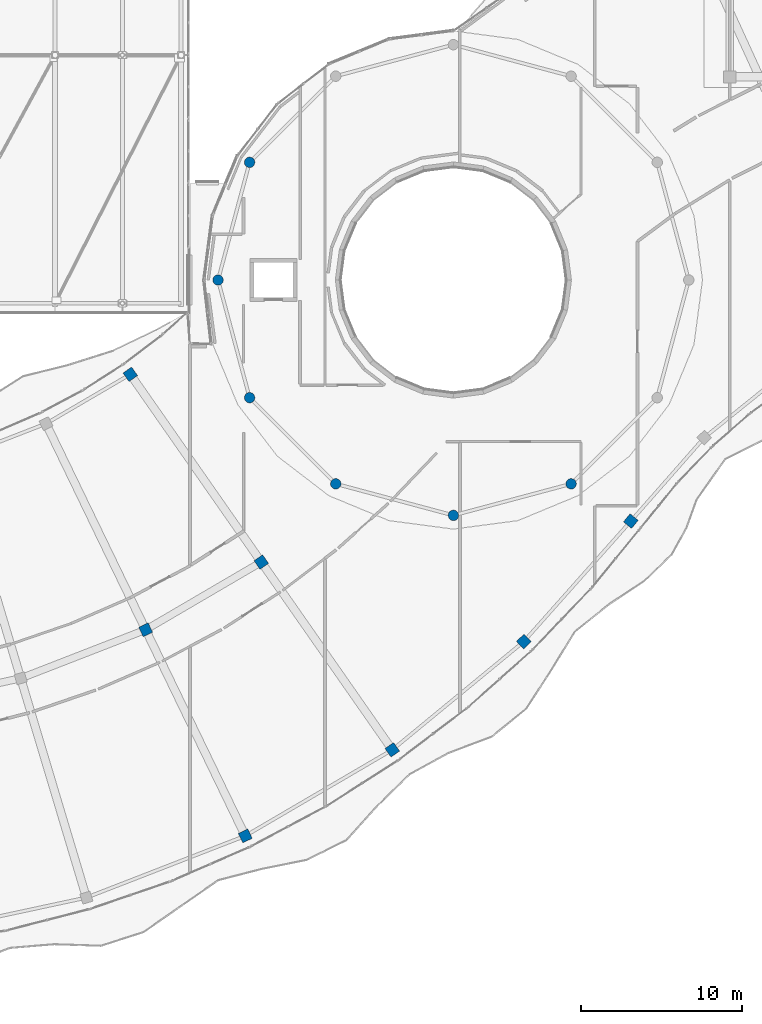
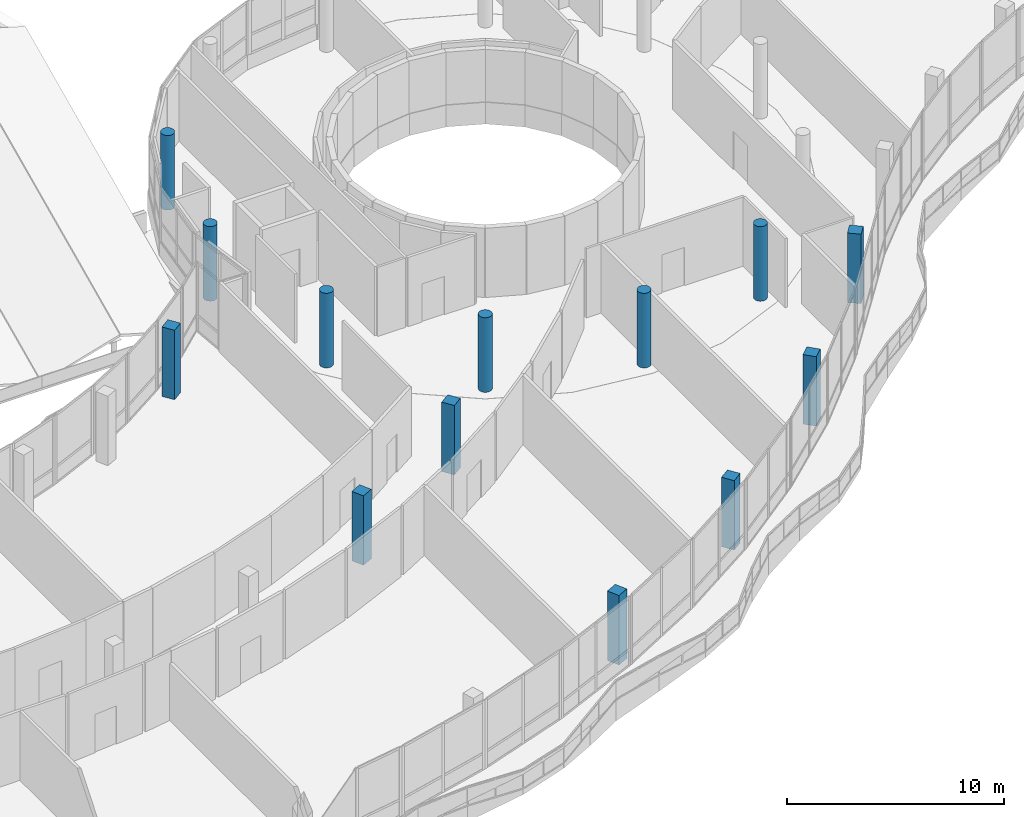
# One storey, part 4 of 184: 13 columns.
"""IFC4 building model written with IfcOpenShell, lengths in metres."""

from ifc_helpers import new_model, si_unit, direction, frame, origin, origin_2d, place, context, subcontext, project, spatial, rectangle, circle, extrude, material, material_profile, profile_set, type_object, element, save


model = new_model("IFC4")

# Units and contexts
model_context = context("Model", 3, precision=1e-05, world=origin(), true_north=direction((0.0, 1.0)))
body_context = subcontext(model_context, "Body", "Model", "MODEL_VIEW")
ifc_project = project(units=[si_unit("LENGTHUNIT", "METRE"), si_unit("AREAUNIT", "SQUARE_METRE"), si_unit("VOLUMEUNIT", "CUBIC_METRE"), si_unit("PLANEANGLEUNIT", "RADIAN"), si_unit("MASSUNIT", "GRAM", prefix="KILO")], contexts=[model_context])

# Site, building, storey
site_placement = place(None, origin())
site = spatial("IfcSite", under=ifc_project, at=site_placement, CompositionType="ELEMENT")
building_placement = place(site_placement, origin())
building = spatial("IfcBuilding", under=site, at=building_placement, Name="Selatvlak General Hospital", CompositionType="ELEMENT")
storey_placement = place(building_placement, frame((0.0, 0.0, 15.0)))
storey = spatial("IfcBuildingStorey", under=building, at=storey_placement, Name="L03", CompositionType="ELEMENT", Elevation=15.0)

# Columns
ifc_material = material(Name="Concrete C40/50", Category="concrete")
ifc_material_profile_1 = material_profile(ifc_material, rectangle(XDim=0.64990234375, YDim=0.64990234375, at=origin_2d()), Name="RC-COL 650x650")
ifc_profile_set_1 = profile_set([ifc_material_profile_1], Name="Concrete C40/50")
column_type_1 = type_object("IfcColumnType", Name="COL-RC65", PredefinedType="COLUMN", material=ifc_profile_set_1)
for number, where, z_axis, x_axis, name in (
    (1, (78.842041015625, 32.22998046875, 0.0), (0.0, 0.0, 1.0), (-0.435199672053, 0.900333963285, 0.0), "Column 332 on L03"),
    (2, (85.0439453125, 19.39990234375, 0.0), (0.0, 0.0, 1.0), (-0.435199672053, 0.900333963285, 0.0), "Column 333 on L03"),
    (3, (77.886962890625, 48.131103515625, 0.0), (0.0, 0.0, 1.0), (-0.572188815713, 0.820121917262, 0.0), "Column 334 on L03"),
    (4, (86.041015625, 36.444091796875, 0.0), (0.0, 0.0, 1.0), (-0.572188815713, 0.820121917262, 0.0), "Column 335 on L03"),
    (5, (94.195068359375, 24.757080078125, 0.0), (0.0, 0.0, 1.0), (-0.572188815713, 0.820121917262, 0.0), "Column 336 on L03"),
    (6, (102.383056640625, 31.4970703125, 0.0), (0.0, 0.0, 1.0), (-0.694834117591, 0.719170041806, 0.0), "Column 337 on L03"),
    (7, (109.04296875, 38.992919921875, 0.0), (0.0, 0.0, 1.0), (-0.774922426247, 0.632056352945, 0.0), "Column 338 on L03"),
):
    element("IfcColumn", number, at=place(storey_placement, frame(where, z_axis=z_axis, x_axis=x_axis)), inside=storey, type_object=column_type_1, Name=name, PredefinedType="COLUMN", context=body_context, shape_type="SweptSolid", body=[
        extrude(rectangle(XDim=0.64990234375, YDim=0.64990234375, at=origin_2d()), origin(), (0.0, 0.0, 1.0), 3.909912109375),
    ])
ifc_material_profile_2 = material_profile(ifc_material, circle(Radius=0.324951171875, at=origin_2d()), Name="RC-COL D650")
ifc_profile_set_2 = profile_set([ifc_material_profile_2], Name="Concrete C40/50")
column_type_2 = type_object("IfcColumnType", Name="COL-RCD65", PredefinedType="COLUMN", material=ifc_profile_set_2)
for number, where, z_axis, x_axis, name in (
    (8, (85.31298828125, 61.324951171875, 0.0), (0.0, 0.0, 1.0), (-0.866025403784, 0.5, 0.0), "Column 030 on L03"),
    (9, (83.35009765625, 54.0, 0.0), (0.0, 0.0, 1.0), (-1.0, 0.0, 0.0), "Column 031 on L03"),
    (10, (85.31298828125, 46.675048828125, 0.0), (0.0, 0.0, 1.0), (-0.866025403784, -0.5, 0.0), "Column 032 on L03"),
    (11, (90.675048828125, 41.31298828125, 0.0), (0.0, 0.0, 1.0), (-0.5, -0.866025403784, 0.0), "Column 033 on L03"),
    (12, (98.0, 39.35009765625, 0.0), (0.0, 0.0, 1.0), (0.0, -1.0, 0.0), "Column 034 on L03"),
    (13, (105.324951171875, 41.31298828125, 0.0), (0.0, 0.0, 1.0), (0.5, -0.866025403784, 0.0), "Column 035 on L03"),
):
    element("IfcColumn", number, at=place(storey_placement, frame(where, z_axis=z_axis, x_axis=x_axis)), inside=storey, type_object=column_type_2, Name=name, PredefinedType="COLUMN", context=body_context, shape_type="SweptSolid", body=[
        extrude(circle(Radius=0.324951171875, at=origin_2d()), origin(), (0.0, 0.0, 1.0), 4.199951171875),
    ])

save(model, "model.ifc")
